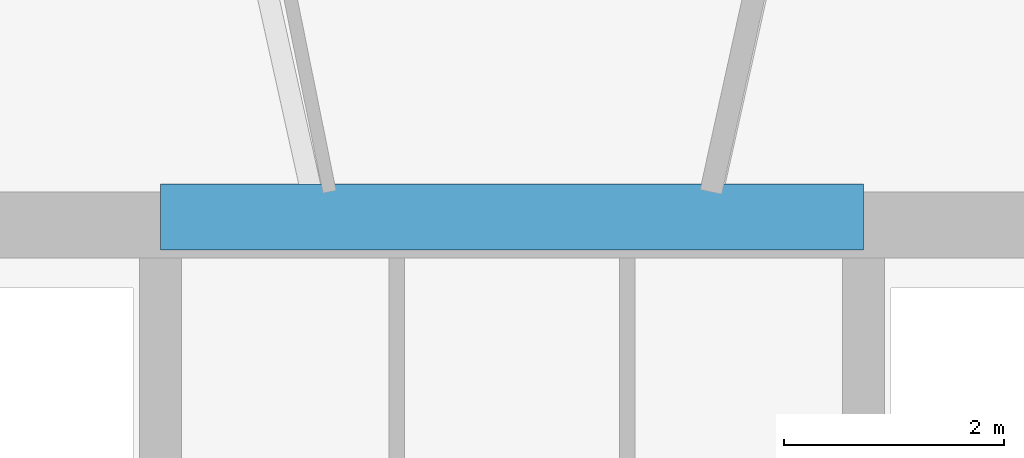
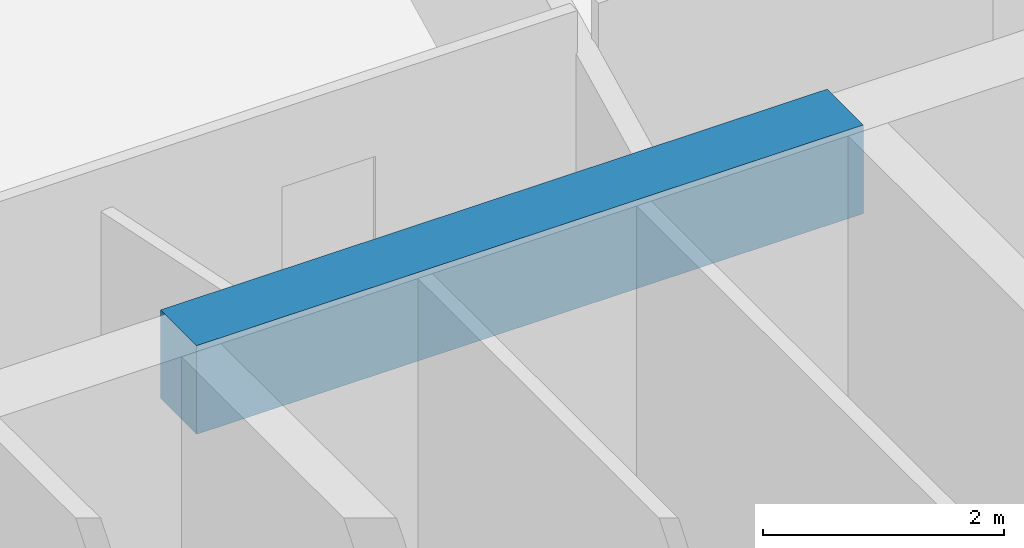
# One storey, part 9 of 26: 1 beam.
"""IFC4 building model written with IfcOpenShell, lengths in metres."""

from ifc_helpers import new_model, si_unit, direction, frame, origin, origin_2d, place, context, subcontext, project, spatial, rectangle, extrude, material, material_profile, profile_set, type_object, element, save


model = new_model("IFC4")

# Units and contexts
model_context = context("Model", 3, precision=1e-05, world=origin(), true_north=direction((-0.2419218956, 0.970295726276)))
body_context = subcontext(model_context, "Body", "Model", "MODEL_VIEW")
ifc_project = project(units=[si_unit("LENGTHUNIT", "METRE"), si_unit("AREAUNIT", "SQUARE_METRE"), si_unit("VOLUMEUNIT", "CUBIC_METRE"), si_unit("PLANEANGLEUNIT", "RADIAN"), si_unit("MASSUNIT", "GRAM", prefix="KILO")], contexts=[model_context])

# Site, building, storey
site_placement = place(None, origin())
site = spatial("IfcSite", under=ifc_project, at=site_placement, CompositionType="ELEMENT")
building_placement = place(site_placement, origin())
building = spatial("IfcBuilding", under=site, at=building_placement, Name="Cobrevalo Terracotta Tower", CompositionType="ELEMENT")
storey_placement = place(building_placement, frame((0.0, 0.0, 213.39990234375)))
storey = spatial("IfcBuildingStorey", under=building, at=storey_placement, Name="L56", CompositionType="ELEMENT", Elevation=213.39990234375)

# Beam
ifc_material = material(Name="Concrete C60", Category="concrete")
ifc_material_profile = material_profile(ifc_material, rectangle(XDim=0.60009765625, YDim=0.89990234375, at=origin_2d()), Name="RC CB 600x900")
ifc_profile_set = profile_set([ifc_material_profile], Name="Concrete C60")
beam_type = type_object("IfcBeamType", Name="Structural Beam RC CB 600x900 (Concrete C60)", PredefinedType="BEAM", material=ifc_profile_set)
beam_placement = place(storey_placement, frame((34.800048828125, 34.800048828125, 2.985107421875), z_axis=(1.0, 0.0, 0.0), x_axis=(0.0, 1.0, 0.0)))
element("IfcBeam", 1, at=beam_placement, inside=storey, type_object=beam_type, Name="L56 core coupling beam 2", PredefinedType="BEAM", context=body_context, shape_type="SweptSolid", body=[
    extrude(rectangle(XDim=0.60009765625, YDim=0.89990234375, at=origin_2d()), origin(), (0.0, 0.0, 1.0), 6.39990234375),
])

save(model, "model.ifc")
